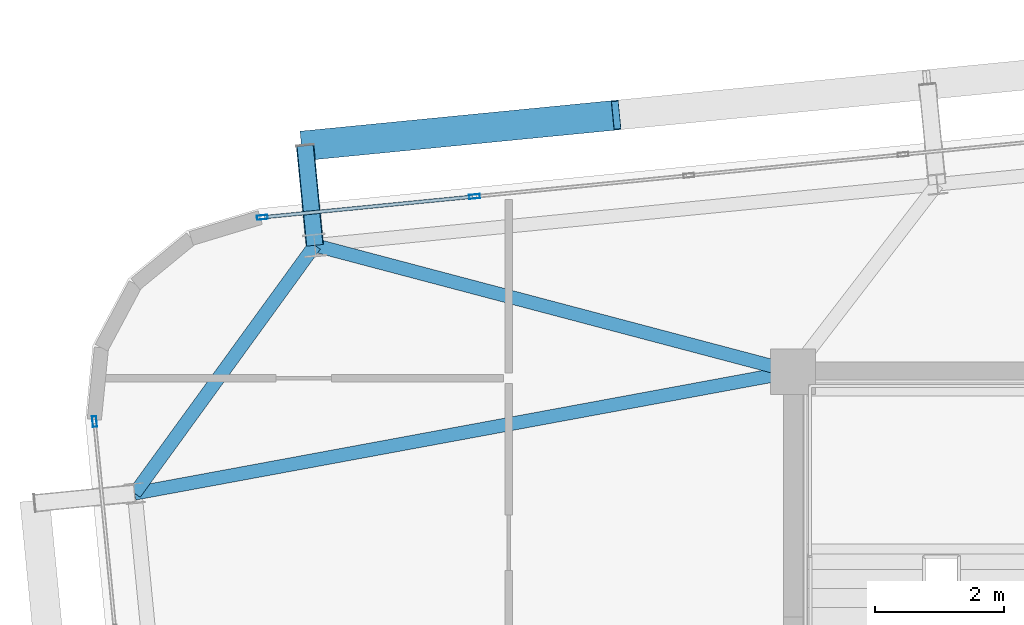
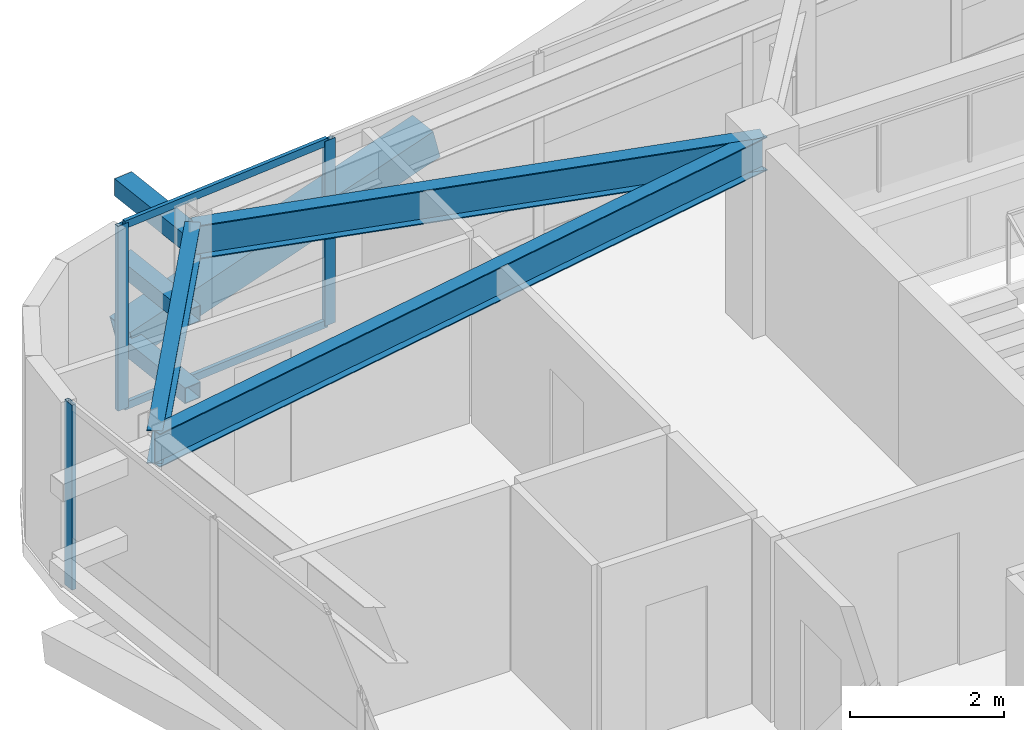
# One storey, part 27 of 53: 9 members, 3 beams, 2 elements without a shape of their own.
"""IFC4 building model written with IfcOpenShell, lengths in metres."""

from ifc_helpers import new_model, si_unit, direction, frame, origin, origin_2d, place, context, subcontext, project, spatial, hollow_rectangle, i_section, extrude, source, transform, mapped, material, layer, layer_set, material_profile, profile_set, type_object, element, aggregate, save


model = new_model("IFC4")

# Units and contexts
model_context = context("Model", 3, precision=1e-05, world=origin(), true_north=direction((0.0, 1.0)))
body_context = subcontext(model_context, "Body", "Model", "MODEL_VIEW")
ifc_project = project(units=[si_unit("LENGTHUNIT", "METRE"), si_unit("AREAUNIT", "SQUARE_METRE"), si_unit("VOLUMEUNIT", "CUBIC_METRE"), si_unit("PLANEANGLEUNIT", "RADIAN"), si_unit("MASSUNIT", "GRAM", prefix="KILO")], contexts=[model_context])

# Site, building, storey
site_placement = place(None, origin())
site = spatial("IfcSite", under=ifc_project, at=site_placement, CompositionType="ELEMENT")
building_placement = place(site_placement, origin())
building = spatial("IfcBuilding", under=site, at=building_placement, Name="Taldren Reach Tower", CompositionType="ELEMENT")
storey_placement = place(building_placement, frame((0.0, 0.0, 68.25)))
storey = spatial("IfcBuildingStorey", under=building, at=storey_placement, Name="L20", CompositionType="ELEMENT", Elevation=68.25)

# Beams
ifc_material_1 = material(Name="Steel Gr 350 (350PLUS)", Category="steel")
ifc_material_profile_1 = material_profile(ifc_material_1, i_section(OverallWidth=0.208984375, OverallDepth=0.528076171875, WebThickness=0.009521484375, FlangeThickness=0.01318359375, at=origin_2d()), Name="530UB82.0")
ifc_profile_set_1 = profile_set([ifc_material_profile_1], Name="Steel Gr 350 (350PLUS)")
beam_type_1 = type_object("IfcBeamType", Name="SP-UB530B", PredefinedType="SPANDREL", material=ifc_profile_set_1)
shared_shape_1 = source(origin(), body_context, "Body", "SweptSolid", [
    extrude(i_section(OverallWidth=0.208984375, OverallDepth=0.528076171875, WebThickness=0.009521484375, FlangeThickness=0.01318359375, at=origin_2d()), origin(), (0.0, 0.0, 1.0), 4.74609375),
])
beam_1_placement = place(storey_placement, frame((11.596923828125, 33.956787109375, 2.666015625), z_axis=(-0.587565912237, -0.809176308833, 0.0), x_axis=(0.809176308833, -0.587565912237, 0.0)))
element("IfcBeam", 1, at=beam_1_placement, inside=storey, type_object=beam_type_1, Name="Perimeter spandrel B2 N1-W3 L20", PredefinedType="SPANDREL", context=body_context, shape_type="MappedRepresentation", body=[
    mapped(shared_shape_1, transform((0.0, 0.0, 0.0), scale=1.0)),
])
ifc_material_profile_2 = material_profile(ifc_material_1, i_section(OverallWidth=0.208984375, OverallDepth=0.532958984375, WebThickness=0.01025390625, FlangeThickness=0.015625, at=origin_2d()), Name="530UB92.4")
ifc_profile_set_2 = profile_set([ifc_material_profile_2], Name="Steel Gr 350 (350PLUS)")
beam_type_2 = type_object("IfcBeamType", Name="BM-UB530A", PredefinedType="BEAM", material=ifc_profile_set_2)
shared_shape_2 = source(origin(), body_context, "Body", "SweptSolid", [
    extrude(i_section(OverallWidth=0.208984375, OverallDepth=0.532958984375, WebThickness=0.01025390625, FlangeThickness=0.015625, at=origin_2d()), origin(), (0.0, 0.0, 1.0), 7.6572265625),
])
beam_2_placement = place(storey_placement, frame((19.0, 32.0, 2.66357421875), z_axis=(-0.966797258245, 0.255544636904, 0.0), x_axis=(-0.255544636904, -0.966797258245, 0.0)))
element("IfcBeam", 2, at=beam_2_placement, inside=storey, type_object=beam_type_2, Name="Primary floor girder B2-N1 L20", PredefinedType="BEAM", context=body_context, shape_type="MappedRepresentation", body=[
    mapped(shared_shape_2, transform((0.0, 0.0, 0.0), scale=1.0)),
])
shared_shape_3 = source(origin(), body_context, "Body", "SweptSolid", [
    extrude(i_section(OverallWidth=0.208984375, OverallDepth=0.532958984375, WebThickness=0.01025390625, FlangeThickness=0.015625, at=origin_2d()), origin(), (0.0, 0.0, 1.0), 10.3642578125),
])
beam_3_placement = place(storey_placement, frame((19.0, 32.0, 2.66357421875), z_axis=(-0.983347548213, -0.181734970283, 0.0), x_axis=(0.181734970283, -0.983347548213, 0.0)))
element("IfcBeam", 3, at=beam_3_placement, inside=storey, type_object=beam_type_2, Name="Primary floor girder B2-W3 L20", PredefinedType="BEAM", context=body_context, shape_type="MappedRepresentation", body=[
    mapped(shared_shape_3, transform((0.0, 0.0, 0.0), scale=1.0)),
])

# Members
ifc_material_2 = material(Name="Steel Gr 450 (C450L0)", Category="steel")
ifc_material_profile_3 = material_profile(ifc_material_2, hollow_rectangle(XDim=0.27490234375, YDim=0.27490234375, WallThickness=0.00927734375, at=origin_2d()), Name="275x275x9.3SHS")
ifc_profile_set_3 = profile_set([ifc_material_profile_3], Name="Steel Gr 450 (C450L0)")
member_type_1 = type_object("IfcMemberType", Name="MB-TIE273", PredefinedType="STRUT", material=ifc_profile_set_3)
shared_shape_4 = source(origin(), body_context, "Body", "SweptSolid", [
    extrude(hollow_rectangle(XDim=0.27490234375, YDim=0.27490234375, WallThickness=0.00927734375, at=origin_2d()), origin(), (0.0, 0.0, 1.0), 1.550048828125),
])
member_1_placement = place(storey_placement, frame((11.596923828125, 33.956787109375, 2.64990234375), z_axis=(-0.097647892962, 0.9952210252, 0.0), x_axis=(-0.9952210252, -0.097647892962, 0.0)))
element("IfcMember", 4, at=member_1_placement, inside=storey, type_object=member_type_1, Name="Exoskeleton diaphragm tie strut B2-N1 L20", PredefinedType="STRUT", context=body_context, shape_type="MappedRepresentation", body=[
    mapped(shared_shape_4, transform((0.0, 0.0, 0.0), scale=1.0)),
])
ifc_material_profile_4 = material_profile(ifc_material_2, hollow_rectangle(XDim=0.4599609375, YDim=0.4599609375, WallThickness=0.01611328125, at=origin_2d()), Name="460x460x16.0SHS")
ifc_profile_set_4 = profile_set([ifc_material_profile_4], Name="Steel Gr 450 (C450L0)")
member_type_2 = type_object("IfcMemberType", Name="MB-EXO457", PredefinedType="BRACE", material=ifc_profile_set_4)
shared_shape_5 = source(origin(), body_context, "Body", "SweptSolid", [
    extrude(hollow_rectangle(XDim=0.4599609375, YDim=0.4599609375, WallThickness=0.01611328125, at=origin_2d()), origin(), (0.0, 0.0, 1.0), 4.990234375),
])
member_2_placement = place(storey_placement, frame((11.445556640625, 35.49951171875, 0.219970703125), z_axis=(0.965275526283, 0.094619506732, 0.243496010862), x_axis=(-0.097555749586, 0.995230061706, 0.0)))
element("IfcMember", 5, at=member_2_placement, inside=storey, type_object=member_type_2, Name="Exoskeleton Diagrid Brace B2-N1 L20", PredefinedType="BRACE", context=body_context, shape_type="MappedRepresentation", body=[
    mapped(shared_shape_5, transform((0.0, 0.0, 0.0), scale=1.0)),
])
ifc_material_3 = material(Name="Steel Gr 350 (C350L0)", Category="steel")
ifc_material_profile_5 = material_profile(ifc_material_3, hollow_rectangle(XDim=0.25, YDim=0.25, WallThickness=0.010009765625, at=origin_2d()), Name="250x250x10.0SHS")
ifc_profile_set_5 = profile_set([ifc_material_profile_5], Name="Steel Gr 350 (C350L0)")
member_type_3 = type_object("IfcMemberType", Name="MB-POST250", PredefinedType="POST", material=ifc_profile_set_5)
shared_shape_6 = source(origin(), body_context, "Body", "SweptSolid", [
    extrude(hollow_rectangle(XDim=0.25, YDim=0.25, WallThickness=0.010009765625, at=origin_2d()), origin(), (0.0, 0.0, 1.0), 1.550048828125),
])
for number, where, z_axis, x_axis, name in (
    (6, (11.596923828125, 33.956787109375, 0.219970703125), (-0.097647892962, 0.9952210252, 0.0), (-0.9952210252, -0.097647892962, 0.0), "Exoskeleton base diaphragm tie strut B2-N1 L20"),
    (7, (11.596923828125, 33.956787109375, 1.43505859375), (-0.097647892962, 0.9952210252, 0.0), (-0.9952210252, -0.097647892962, 0.0), "Exoskeleton mid-tier diaphragm tie B2-N1 L20"),
):
    element("IfcMember", number, at=place(storey_placement, frame(where, z_axis=z_axis, x_axis=x_axis)), inside=storey, type_object=member_type_3, Name=name, PredefinedType="POST", context=body_context, shape_type="MappedRepresentation", body=[
        mapped(shared_shape_6, transform((0.0, 0.0, 0.0), scale=1.0)),
    ])

# Curtain wall, members
ifc_material_4 = material(Name="Aluminium and Low-E Glass Unitised System", Category="aluminium")
ifc_layer = layer(ifc_material_4, 0.159912109375)
ifc_layer_set = layer_set([ifc_layer], Name="Aluminium and Low-E Glass Unitised System")
curtain_wall_type = type_object("IfcCurtainWallType", Name="CW-SYS-3", PredefinedType="NOTDEFINED", material=ifc_layer_set)
curtain_wall_1_placement = place(storey_placement, origin())
curtain_wall_1 = element("IfcCurtainWall", 8, at=curtain_wall_1_placement, inside=storey, type_object=curtain_wall_type, Name="Unitised curtain wall CW-L20-N", PredefinedType="NOTDEFINED")
ifc_material_5 = material(Name="Anodised Aluminium 6063-T6", Category="aluminium")
ifc_material_profile_6 = material_profile(ifc_material_5, hollow_rectangle(XDim=0.06494140625, YDim=0.1650390625, WallThickness=0.00390625, at=origin_2d()), Name="ALU-165x65x4RHS")
ifc_profile_set_6 = profile_set([ifc_material_profile_6], Name="Anodised Aluminium 6063-T6")
member_type_4 = type_object("IfcMemberType", Name="CW-MUL-165", PredefinedType="MULLION", material=ifc_profile_set_6)
shared_shape_7 = source(origin(), body_context, "Body", "SweptSolid", [
    extrude(hollow_rectangle(XDim=0.06494140625, YDim=0.1650390625, WallThickness=0.00390625, at=origin_2d()), origin(), (0.0, 0.0, 1.0), 2.929931640625),
])
member_3_placement = place(storey_placement, frame((14.068359375, 34.711669921875, 0.0), z_axis=(0.0, 0.0, 1.0), x_axis=(0.097582999046, -0.995227390247, 0.0)))
member_3 = element("IfcMember", 9, at=member_3_placement, type_object=member_type_4, Name="CW-3 mullion 15", PredefinedType="MULLION", context=body_context, shape_type="MappedRepresentation", body=[
    mapped(shared_shape_7, transform((0.0, 0.0, 0.0), scale=1.0)),
])
member_4_placement = place(storey_placement, frame((10.783203125, 34.3896484375, 0.0), z_axis=(0.0, 0.0, 1.0), x_axis=(0.097582999046, -0.995227390247, 0.0)))
member_4 = element("IfcMember", 10, at=member_4_placement, type_object=member_type_4, Name="CW-3 mullion 16", PredefinedType="MULLION", context=body_context, shape_type="MappedRepresentation", body=[
    mapped(shared_shape_7, transform((0.0, 0.0, 0.0), scale=1.0)),
])

# Curtain wall, member
curtain_wall_2_placement = place(storey_placement, origin())
curtain_wall_2 = element("IfcCurtainWall", 11, at=curtain_wall_2_placement, inside=storey, type_object=curtain_wall_type, Name="Unitised curtain wall CW-L20-W", PredefinedType="NOTDEFINED")
member_5_placement = place(storey_placement, frame((8.186767578125, 31.228515625, 0.0), z_axis=(0.0, 0.0, 1.0), x_axis=(0.99522741555, 0.09758274098, 0.0)))
member_5 = element("IfcMember", 12, at=member_5_placement, type_object=member_type_4, Name="CW-3 mullion 1", PredefinedType="MULLION", context=body_context, shape_type="MappedRepresentation", body=[
    mapped(shared_shape_7, transform((0.0, 0.0, 0.0), scale=1.0)),
])
aggregate(curtain_wall_2, [member_5])

# Member
ifc_material_profile_7 = material_profile(ifc_material_5, hollow_rectangle(XDim=0.054931640625, YDim=0.1201171875, WallThickness=0.0029296875, at=origin_2d()), Name="ALU-120x55x3RHS")
ifc_profile_set_7 = profile_set([ifc_material_profile_7], Name="Anodised Aluminium 6063-T6")
member_type_5 = type_object("IfcMemberType", Name="CW-TRN-135", PredefinedType="USERDEFINED", material=ifc_profile_set_7)
shared_shape_8 = source(origin(), body_context, "Body", "SweptSolid", [
    extrude(hollow_rectangle(XDim=0.054931640625, YDim=0.1201171875, WallThickness=0.0029296875, at=origin_2d()), origin(), (0.0, 0.0, 1.0), 3.235595703125),
])
member_6_placement = place(storey_placement, frame((14.035888671875, 34.70849609375, 0.027587890625), z_axis=(-0.995229530729, -0.09756116628, 0.0), x_axis=(0.09756116628, -0.995229530729, 0.0)))
member_6 = element("IfcMember", 13, at=member_6_placement, type_object=member_type_5, Name="CW-3 transom 15.1", ObjectType="TRANSOM", PredefinedType="USERDEFINED", context=body_context, shape_type="MappedRepresentation", body=[
    mapped(shared_shape_8, transform((0.0, 0.0, 0.0), scale=1.0)),
])

member_7_placement = place(storey_placement, frame((14.035888671875, 34.70849609375, 2.902587890625), z_axis=(-0.995229530729, -0.09756116628, 0.0), x_axis=(0.09756116628, -0.995229530729, 0.0)))
member_7 = element("IfcMember", 14, at=member_7_placement, type_object=member_type_5, Name="CW-3 transom 15.2", ObjectType="TRANSOM", PredefinedType="USERDEFINED", context=body_context, shape_type="MappedRepresentation", body=[
    mapped(shared_shape_8, transform((0.0, 0.0, 0.0), scale=1.0)),
])

aggregate(curtain_wall_1, [member_3, member_4, member_6, member_7])

save(model, "model.ifc")
